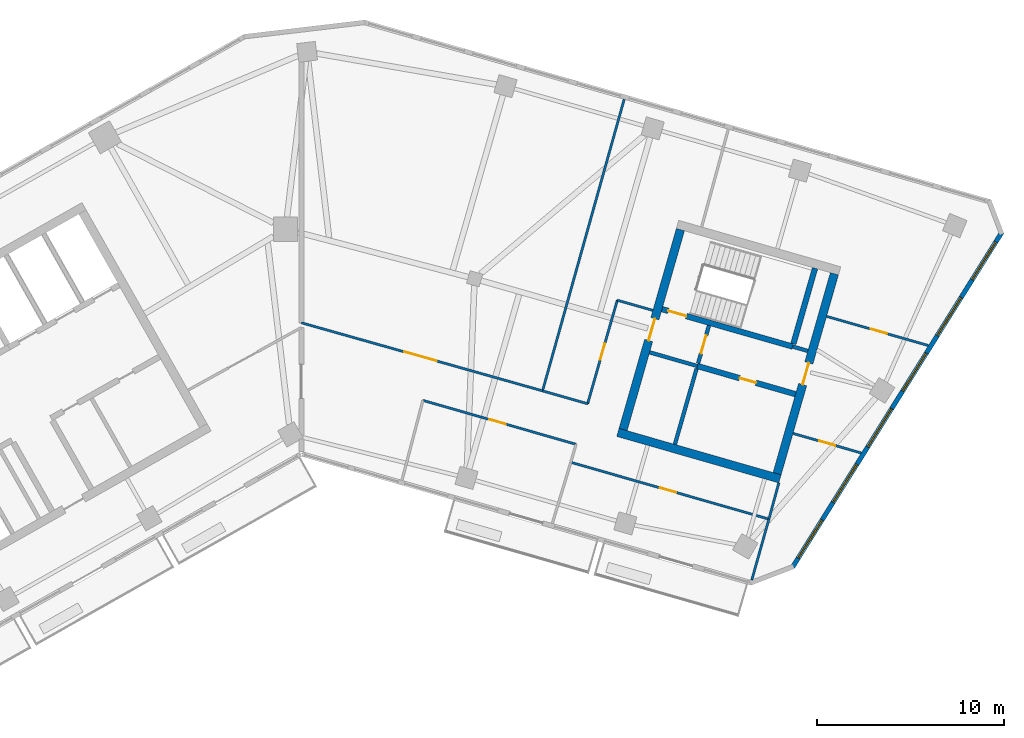
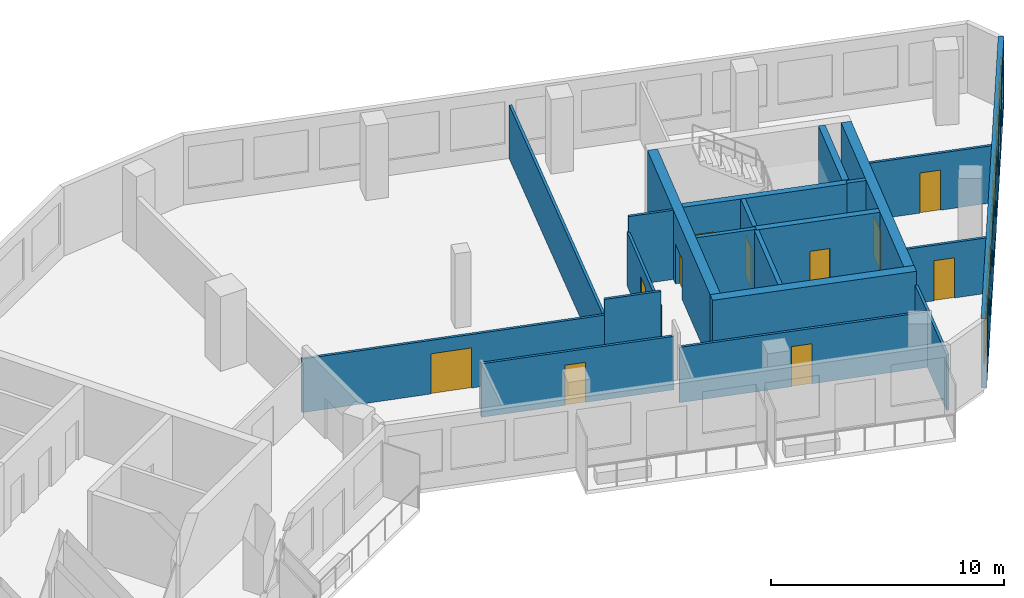
# One storey, part 7 of 11: 22 walls, 11 doors, 6 windows, 17 openings.
"""IFC4 building model written with IfcOpenShell, lengths in metres."""

import ifcopenshell
import ifcopenshell.guid

model = None  # the IFC model being written
_history = None  # IfcOwnerHistory: only IFC2X3 demands one
_inside = {}  # id of a spatial element -> (the spatial element, [elements in it])
_under = {}  # id of a project, library or spatial element -> (it, [spatial elements below it])
_declared = {}  # id of a project -> (the project, [libraries it declares])
_typed = {}  # id of a type object -> (the type object, [elements of that type])
_made_of = {}  # id of a material, layer set ... -> (it, [elements and type objects made of it])


def new_model(schema):
    """Start an empty IFC model of exactly this schema.

    Asked for "IFC4X3", IfcOpenShell would pick the latest addendum, in which some entities
    have other attributes; the version numbers below select the first issue.
    IFC2X3 requires an IfcOwnerHistory on every rooted entity: one is made here for all.
    """
    global model, _history
    if schema == "IFC4X3":
        model = ifcopenshell.file(schema_version=(4, 3, 0, 0))
    else:
        model = ifcopenshell.file(schema=schema)
    _inside.clear()
    _under.clear()
    _declared.clear()
    _typed.clear()
    _made_of.clear()
    _history = None
    if model.schema == "IFC2X3":
        org = make("IfcOrganization", Name="unknown")
        user = make(
            "IfcPersonAndOrganization",
            ThePerson=make("IfcPerson", FamilyName="unknown"),
            TheOrganization=org,
        )
        app = make(
            "IfcApplication",
            ApplicationDeveloper=org,
            Version="unknown",
            ApplicationFullName="unknown",
            ApplicationIdentifier="unknown",
        )
        _history = make(
            "IfcOwnerHistory",
            OwningUser=user,
            OwningApplication=app,
            ChangeAction="ADDED",
            CreationDate=0,
        )
    return model


def make(cls, **values):
    """One entity of the class cls with the attributes given. An attribute that is None is left unset."""
    return model.create_entity(
        cls, **{name: value for name, value in values.items() if value is not None}
    )


def rooted(cls, **values):
    """An entity with a GlobalId (a new one), such as an element, a storey or a relation."""
    return make(cls, GlobalId=ifcopenshell.guid.new(), OwnerHistory=_history, **values)


def si_unit(unit_type, name, prefix=None):
    """IfcSIUnit, for example si_unit("LENGTHUNIT", "METRE", prefix="MILLI")."""
    return make("IfcSIUnit", UnitType=unit_type, Prefix=prefix, Name=name)


def assignment(units):
    """IfcUnitAssignment: the units of a project."""
    return None if units is None else make("IfcUnitAssignment", Units=units)


def point(xyz):
    """IfcCartesianPoint."""
    return None if xyz is None else make("IfcCartesianPoint", Coordinates=xyz)


def direction(xyz):
    """IfcDirection."""
    return None if xyz is None else make("IfcDirection", DirectionRatios=xyz)


def frame(location, z_axis=None, x_axis=None):
    """IfcAxis2Placement3D, a coordinate frame: its origin and axes. An axis left out is left unset."""
    return make(
        "IfcAxis2Placement3D",
        Location=point(location),
        Axis=direction(z_axis),
        RefDirection=direction(x_axis),
    )


def frame_2d(location, x_axis=None):
    """IfcAxis2Placement2D, a coordinate frame in the plane: its origin and x axis."""
    return make(
        "IfcAxis2Placement2D", Location=point(location), RefDirection=direction(x_axis)
    )


def origin():
    """The frame at (0, 0, 0) with its axes left unset."""
    return frame((0.0, 0.0, 0.0))


def place(relative_to, where):
    """IfcLocalPlacement: puts the frame where relative to a parent placement (None: the world)."""
    return make(
        "IfcLocalPlacement", PlacementRelTo=relative_to, RelativePlacement=where
    )


def context(
    kind, dimensions, precision=None, world=None, true_north=None, identifier=None
):
    """IfcGeometricRepresentationContext, for example the 3D "Model" context."""
    return make(
        "IfcGeometricRepresentationContext",
        ContextIdentifier=identifier,
        ContextType=kind,
        CoordinateSpaceDimension=dimensions,
        Precision=precision,
        WorldCoordinateSystem=world,
        TrueNorth=true_north,
    )


def subcontext(parent, identifier, kind, view, scale=None):
    """IfcGeometricRepresentationSubContext, for example "Body" below "Model"."""
    return make(
        "IfcGeometricRepresentationSubContext",
        ContextIdentifier=identifier,
        ContextType=kind,
        ParentContext=parent,
        TargetScale=scale,
        TargetView=view,
    )


def project(units=None, contexts=None):
    """IfcProject with its units and contexts."""
    return rooted(
        "IfcProject",
        Name="project",
        RepresentationContexts=contexts,
        UnitsInContext=assignment(units),
    )


def spatial(cls, under=None, at=None, **own):
    """A site, building, storey or space (cls), placed at a placement, below another one or the project."""
    s = rooted(cls, ObjectPlacement=at, **own)
    if under is not None:
        _under.setdefault(under.id(), (under, []))[1].append(s)
    return s


def profile(cls, at=None, kind="AREA", **sizes):
    """A parametric profile (cls). Its sizes go by their IFC names, for example OverallWidth=200.0."""
    return make(cls, ProfileType=kind, Position=at, **sizes)


def rectangle(**sizes):
    """IfcRectangleProfileDef."""
    return profile("IfcRectangleProfileDef", **sizes)


def extrude(swept, where, along, depth):
    """IfcExtrudedAreaSolid: the profile swept, set in the frame where, extruded along a direction by depth."""
    return make(
        "IfcExtrudedAreaSolid",
        SweptArea=swept,
        Position=where,
        ExtrudedDirection=direction(along),
        Depth=depth,
    )


def shape(context_of_items, identifier, shape_type, items):
    """IfcShapeRepresentation: the items that make up one representation, for example the "Body"."""
    return make(
        "IfcShapeRepresentation",
        ContextOfItems=context_of_items,
        RepresentationIdentifier=identifier,
        RepresentationType=shape_type,
        Items=items,
    )


def material(Name=None, Category=None):
    """IfcMaterial."""
    return make("IfcMaterial", Name=Name, Category=Category)


def layer(
    of_material, thickness, ventilated=None, Name=None, Category=None, Priority=None
):
    """IfcMaterialLayer: one layer of a wall or slab, of a material (None: an air gap)."""
    return make(
        "IfcMaterialLayer",
        Material=of_material,
        LayerThickness=thickness,
        IsVentilated=ventilated,
        Name=Name,
        Category=Category,
        Priority=Priority,
    )


def layer_set(layers, Name=None):
    """IfcMaterialLayerSet."""
    return make("IfcMaterialLayerSet", MaterialLayers=layers, LayerSetName=Name)


def made_of(thing, what):
    """Note that an element or type object is made of a material, layer set ...; save() writes the relation."""
    if what is not None:
        _made_of.setdefault(what.id(), (what, []))[1].append(thing)
    return thing


def type_object(cls, material=None, **own):
    """A type object (cls), such as IfcWallType, which elements share."""
    return made_of(rooted(cls, **own), material)


def element(
    cls,
    number,
    at=None,
    inside=None,
    cuts=None,
    type_object=None,
    material=None,
    context=None,
    identifier="Body",
    shape_type=None,
    held_by="IfcProductDefinitionShape",
    body=None,
    shapes=None,
    **own,
):
    """One element of the class cls, such as IfcWall. Its Tag is "e" and its number.

    at: its placement. inside: the storey or other place that contains it. cuts: it is an
    opening in that element (IfcRelVoidsElement). A single representation is given by context,
    identifier, shape_type and body (its items); several are given by shapes. held_by: the class
    of the entity that holds the representations. save() writes the other relations.
    """
    e = rooted(cls, Tag="e%d" % number, ObjectPlacement=at, **own)
    if body is not None:
        shapes = [shape(context, identifier, shape_type, body)]
    if shapes is not None:
        e.Representation = make(held_by, Representations=shapes)
    if inside is not None:
        _inside.setdefault(inside.id(), (inside, []))[1].append(e)
    if cuts is not None:
        rooted(
            "IfcRelVoidsElement", RelatingBuildingElement=cuts, RelatedOpeningElement=e
        )
    if type_object is not None:
        _typed.setdefault(type_object.id(), (type_object, []))[1].append(e)
    return made_of(e, material)


def fill(opening, filler):
    """IfcRelFillsElement: the door or window that sits in an opening."""
    return rooted(
        "IfcRelFillsElement",
        RelatingOpeningElement=opening,
        RelatedBuildingElement=filler,
    )


def aggregate(whole, parts):
    """IfcRelAggregates: a whole, such as a stair, and the parts it consists of."""
    return rooted("IfcRelAggregates", RelatingObject=whole, RelatedObjects=parts)


def save(model, path):
    """Write the relations noted so far, then the file.

    IfcRelAggregates (storeys below a building ...), IfcRelContainedInSpatialStructure (elements
    in a storey), IfcRelDefinesByType, IfcRelAssociatesMaterial and IfcRelDeclares: one each for
    every whole, place, type object, material and project.
    """
    for whole, parts in _under.values():
        aggregate(whole, parts)
    for where, things in _inside.values():
        rooted(
            "IfcRelContainedInSpatialStructure",
            RelatedElements=things,
            RelatingStructure=where,
        )
    for kind, things in _typed.values():
        rooted("IfcRelDefinesByType", RelatedObjects=things, RelatingType=kind)
    for what, things in _made_of.values():
        rooted("IfcRelAssociatesMaterial", RelatedObjects=things, RelatingMaterial=what)
    for by, libraries in _declared.values():
        rooted("IfcRelDeclares", RelatingContext=by, RelatedDefinitions=libraries)
    model.write(path)


model = new_model("IFC4")

# Units and contexts
model_context = context("Model", 3, precision=1e-05, world=origin(), true_north=direction((0.0, 1.0)))
body_context = subcontext(model_context, "Body", "Model", "MODEL_VIEW")
ifc_project = project(units=[si_unit("LENGTHUNIT", "METRE"), si_unit("AREAUNIT", "SQUARE_METRE"), si_unit("VOLUMEUNIT", "CUBIC_METRE"), si_unit("PLANEANGLEUNIT", "RADIAN"), si_unit("MASSUNIT", "GRAM", prefix="KILO")], contexts=[model_context])

# Site, building, storey
site_placement = place(None, origin())
site = spatial("IfcSite", under=ifc_project, at=site_placement, CompositionType="ELEMENT")
building_placement = place(site_placement, origin())
building = spatial("IfcBuilding", under=site, at=building_placement, Name="Binnacle Exchange Tower", CompositionType="ELEMENT")
storey_placement = place(building_placement, frame((0.0, 0.0, 219.199951171875)))
storey = spatial("IfcBuildingStorey", under=building, at=storey_placement, Name="L48", CompositionType="ELEMENT", Elevation=219.199951171875)

# Wall, opening, door
ifc_material_1 = material(Name="Concrete C70/85", Category="concrete")
ifc_layer_1 = layer(ifc_material_1, 0.300048828125)
ifc_layer_set_1 = layer_set([ifc_layer_1], Name="Core wall - front 300")
wall_type_1 = type_object("IfcWallType", Name="Core wall - front 300", PredefinedType="SOLIDWALL", material=ifc_layer_set_1)
wall_1_placement = place(storey_placement, frame((21.130859375, 52.6923828125, 0.0), z_axis=(0.0, 0.0, 1.0), x_axis=(0.961261488075, -0.275638080722, 0.0)))
wall_1 = element("IfcWall", 1, at=wall_1_placement, inside=storey, type_object=wall_type_1, Name="Core wall CRWD3", PredefinedType="SOLIDWALL", context=body_context, shape_type="SweptSolid", body=[
    extrude(rectangle(XDim=5.449951171875, YDim=0.300048828125, at=frame_2d((2.72509765625, 0.0))), origin(), (0.0, 0.0, 1.0), 3.6201171875),
])
opening_1_placement = place(wall_1_placement, frame((2.35009765625, 0.0, 0.0)))
opening_1 = element("IfcOpeningElement", 2, at=opening_1_placement, cuts=wall_1, Name="Opening DD10", PredefinedType="OPENING", context=body_context, shape_type="SweptSolid", body=[
    extrude(rectangle(XDim=0.89990234375, YDim=2.10009765625, at=frame_2d((0.449951171875, 1.050048828125))), frame((0.0, 0.159912109375, 0.0), z_axis=(0.0, -1.0, 0.0), x_axis=(1.0, 0.0, 0.0)), (0.0, 0.0, 1.0), 0.320068359375),
])
ifc_material_2 = material(Name="Steel door leaf", Category="steel")
door_type_1 = type_object("IfcDoorType", Name="Fire door 900", OperationType="NOTDEFINED", PredefinedType="DOOR", material=ifc_material_2)
door_1_placement = place(opening_1_placement, frame((0.89990234375, 0.0, 0.0), z_axis=(0.0, 0.0, 1.0), x_axis=(-1.0, 0.0, 0.0)))
door_1 = element("IfcDoor", 3, at=door_1_placement, inside=storey, type_object=door_type_1, Name="Core room door PANTRY", OperationType="SINGLE_SWING_LEFT", OverallHeight=2.10009765625, OverallWidth=0.89990234375, PredefinedType="DOOR", context=body_context, shape_type="SweptSolid", body=[
    extrude(rectangle(XDim=0.89990234375, YDim=2.10009765625, at=frame_2d((0.449951171875, 1.050048828125))), frame((0.0, 0.02490234375, 0.0), z_axis=(0.0, -1.0, 0.0), x_axis=(1.0, 0.0, 0.0)), (0.0, 0.0, 1.0), 0.050048828125),
])
fill(opening_1, door_1)

# Wall
ifc_layer_2 = layer(ifc_material_1, 0.449951171875)
ifc_layer_set_2 = layer_set([ifc_layer_2], Name="Core wall - outer 450")
wall_type_2 = type_object("IfcWallType", Name="Core wall - outer 450", PredefinedType="SOLIDWALL", material=ifc_layer_set_2)
wall_2_placement = place(storey_placement, frame((16.889892578125, 49.149169921875, 0.0), z_axis=(0.0, 0.0, 1.0), x_axis=(0.96126248289, -0.275634611374, 0.0)))
element("IfcWall", 4, at=wall_2_placement, inside=storey, type_object=wall_type_2, Name="Core wall CRWD1", PredefinedType="SOLIDWALL", context=body_context, shape_type="SweptSolid", body=[
    extrude(rectangle(XDim=9.0, YDim=0.449951171875, at=frame_2d((4.5, 0.0))), origin(), (0.0, 0.0, 1.0), 3.6201171875),
])

# Wall, opening, door
wall_3_placement = place(storey_placement, frame((17.168212890625, 49.303466796875, 0.0), z_axis=(0.0, 0.0, 1.0), x_axis=(0.275638974822, 0.961261231695, 0.0)))
wall_3 = element("IfcWall", 5, at=wall_3_placement, inside=storey, type_object=wall_type_2, Name="Core wall CRWD7", PredefinedType="SOLIDWALL", context=body_context, shape_type="SweptSolid", body=[
    extrude(rectangle(XDim=11.099853515625, YDim=0.449951171875, at=frame_2d((5.5498046875, 0.0))), origin(), (0.0, 0.0, 1.0), 3.6201171875),
])
opening_2_placement = place(wall_3_placement, frame((4.9501953125, 0.0, 0.0)))
opening_2 = element("IfcOpeningElement", 6, at=opening_2_placement, cuts=wall_3, Name="Opening DD5", PredefinedType="OPENING", context=body_context, shape_type="SweptSolid", body=[
    extrude(rectangle(XDim=1.199951171875, YDim=2.10009765625, at=frame_2d((0.60009765625, 1.050048828125))), frame((0.0, 0.23486328125, 0.0), z_axis=(0.0, -1.0, 0.0), x_axis=(1.0, 0.0, 0.0)), (0.0, 0.0, 1.0), 0.469970703125),
])
door_type_2 = type_object("IfcDoorType", Name="Fire door 1200", OperationType="NOTDEFINED", PredefinedType="DOOR", material=ifc_material_2)
door_2_placement = place(opening_2_placement, origin())
door_2 = element("IfcDoor", 7, at=door_2_placement, inside=storey, type_object=door_type_2, Name="Vestibule exit door VEST-W", OperationType="SINGLE_SWING_RIGHT", OverallHeight=2.10009765625, OverallWidth=1.199951171875, PredefinedType="DOOR", context=body_context, shape_type="SweptSolid", body=[
    extrude(rectangle(XDim=1.199951171875, YDim=2.10009765625, at=frame_2d((0.60009765625, 1.050048828125))), frame((0.0, 0.02490234375, 0.0), z_axis=(0.0, -1.0, 0.0), x_axis=(1.0, 0.0, 0.0)), (0.0, 0.0, 1.0), 0.050048828125),
])
fill(opening_2, door_2)

wall_4_placement = place(storey_placement, frame((25.386962890625, 46.94677734375, 0.0), z_axis=(0.0, 0.0, 1.0), x_axis=(0.275638974822, 0.961261231695, 0.0)))
wall_4 = element("IfcWall", 8, at=wall_4_placement, inside=storey, type_object=wall_type_2, Name="Core wall CRWD12", PredefinedType="SOLIDWALL", context=body_context, shape_type="SweptSolid", body=[
    extrude(rectangle(XDim=11.099853515625, YDim=0.449951171875, at=frame_2d((5.5498046875, 0.0))), origin(), (0.0, 0.0, 1.0), 3.6201171875),
])
opening_3_placement = place(wall_4_placement, frame((4.949951171875, 0.0, 0.0)))
opening_3 = element("IfcOpeningElement", 9, at=opening_3_placement, cuts=wall_4, Name="Opening DD6", PredefinedType="OPENING", context=body_context, shape_type="SweptSolid", body=[
    extrude(rectangle(XDim=1.199951171875, YDim=2.10009765625, at=frame_2d((0.60009765625, 1.050048828125))), frame((0.0, 0.23486328125, 0.0), z_axis=(0.0, -1.0, 0.0), x_axis=(1.0, 0.0, 0.0)), (0.0, 0.0, 1.0), 0.469970703125),
])
door_3_placement = place(opening_3_placement, frame((1.199951171875, 0.0, 0.0), z_axis=(0.0, 0.0, 1.0), x_axis=(-1.0, 0.0, 0.0)))
door_3 = element("IfcDoor", 10, at=door_3_placement, inside=storey, type_object=door_type_2, Name="Core passage exit door", OperationType="SINGLE_SWING_RIGHT", OverallHeight=2.10009765625, OverallWidth=1.199951171875, PredefinedType="DOOR", context=body_context, shape_type="SweptSolid", body=[
    extrude(rectangle(XDim=1.199951171875, YDim=2.10009765625, at=frame_2d((0.60009765625, 1.050048828125))), frame((0.0, 0.02490234375, 0.0), z_axis=(0.0, -1.0, 0.0), x_axis=(1.0, 0.0, 0.0)), (0.0, 0.0, 1.0), 0.050048828125),
])
fill(opening_3, door_3)

ifc_layer_3 = layer(ifc_material_1, 0.300048828125)
ifc_layer_set_3 = layer_set([ifc_layer_3], Name="Core wall - stair 300")
wall_type_3 = type_object("IfcWallType", Name="Core wall - stair 300", PredefinedType="SOLIDWALL", material=ifc_layer_set_3)
wall_5_placement = place(storey_placement, frame((19.2451171875, 55.72998046875, 0.0), z_axis=(0.0, 0.0, 1.0), x_axis=(0.961263007877, -0.275632780503, 0.0)))
wall_5 = element("IfcWall", 11, at=wall_5_placement, inside=storey, type_object=wall_type_3, Name="Core wall CRWD4", PredefinedType="SOLIDWALL", context=body_context, shape_type="SweptSolid", body=[
    extrude(rectangle(XDim=7.249755859375, YDim=0.300048828125, at=frame_2d((3.625, 0.0))), origin(), (0.0, 0.0, 1.0), 3.6201171875),
])
opening_4_placement = place(wall_5_placement, frame((0.35009765625, 0.0, 0.0)))
opening_4 = element("IfcOpeningElement", 12, at=opening_4_placement, cuts=wall_5, Name="Opening DD1", PredefinedType="OPENING", context=body_context, shape_type="SweptSolid", body=[
    extrude(rectangle(XDim=1.0, YDim=2.10009765625, at=frame_2d((0.5, 1.050048828125))), frame((0.0, 0.159912109375, 0.0), z_axis=(0.0, -1.0, 0.0), x_axis=(1.0, 0.0, 0.0)), (0.0, 0.0, 1.0), 0.320068359375),
])
door_type_3 = type_object("IfcDoorType", Name="Fire door 1000", OperationType="NOTDEFINED", PredefinedType="DOOR", material=ifc_material_2)
door_4_placement = place(opening_4_placement, origin())
door_4 = element("IfcDoor", 13, at=door_4_placement, inside=storey, type_object=door_type_3, Name="Stair door ST-D1", OperationType="SINGLE_SWING_LEFT", OverallHeight=2.10009765625, OverallWidth=1.0, PredefinedType="DOOR", context=body_context, shape_type="SweptSolid", body=[
    extrude(rectangle(XDim=1.0, YDim=2.10009765625, at=frame_2d((0.5, 1.050048828125))), frame((0.0, 0.02490234375, 0.0), z_axis=(0.0, -1.0, 0.0), x_axis=(1.0, 0.0, 0.0)), (0.0, 0.0, 1.0), 0.050048828125),
])
fill(opening_4, door_4)

# Wall
wall_6_placement = place(storey_placement, frame((26.255615234375, 53.875732421875, 0.0), z_axis=(0.0, 0.0, 1.0), x_axis=(0.275588560745, 0.96127568636, 0.0)))
element("IfcWall", 14, at=wall_6_placement, inside=storey, type_object=wall_type_3, Name="Core wall CRWD11", PredefinedType="SOLIDWALL", context=body_context, shape_type="SweptSolid", body=[
    extrude(rectangle(XDim=4.199951171875, YDim=0.300048828125, at=frame_2d((2.10009765625, 0.0))), origin(), (0.0, 0.0, 1.0), 3.6201171875),
])

# Wall, openings, windows
ifc_material_3 = material(Name="Bronze aluminium cladding", Category="aluminium")
ifc_layer_4 = layer(ifc_material_3, 0.25)
ifc_layer_set_4 = layer_set([ifc_layer_4], Name="External wall - window wall 250")
wall_type_4 = type_object("IfcWallType", Name="External wall - window wall 250", PredefinedType="STANDARD", material=ifc_layer_set_4)
wall_7_placement = place(storey_placement, frame((37.392333984375, 59.84033203125, 0.0), z_axis=(0.0, 0.0, 1.0), x_axis=(-0.529919909431, -0.848047692992, 0.0)))
wall_7 = element("IfcWall", 15, at=wall_7_placement, inside=storey, type_object=wall_type_4, Name="External wall EW-G04 L48", PredefinedType="STANDARD", context=body_context, shape_type="SweptSolid", body=[
    extrude(rectangle(XDim=21.104248046875, YDim=0.25, at=frame_2d((10.55224609375, 0.0))), origin(), (0.0, 0.0, 1.0), 3.6201171875),
])
opening_5_placement = place(wall_7_placement, frame((18.1123046875, 0.0, 0.800048828125)))
opening_5 = element("IfcOpeningElement", 16, at=opening_5_placement, cuts=wall_7, Name="Opening WR1", PredefinedType="OPENING", context=body_context, shape_type="SweptSolid", body=[
    extrude(rectangle(XDim=2.39990234375, YDim=2.199951171875, at=frame_2d((1.199951171875, 1.10009765625))), frame((0.0, 0.135009765625, 0.0), z_axis=(0.0, -1.0, 0.0), x_axis=(1.0, 0.0, 0.0)), (0.0, 0.0, 1.0), 0.27001953125),
])
opening_6_placement = place(wall_7_placement, frame((14.6123046875, 0.0, 0.800048828125)))
opening_6 = element("IfcOpeningElement", 17, at=opening_6_placement, cuts=wall_7, Name="Opening WR1", PredefinedType="OPENING", context=body_context, shape_type="SweptSolid", body=[
    extrude(rectangle(XDim=2.39990234375, YDim=2.199951171875, at=frame_2d((1.199951171875, 1.10009765625))), frame((0.0, 0.135009765625, 0.0), z_axis=(0.0, -1.0, 0.0), x_axis=(1.0, 0.0, 0.0)), (0.0, 0.0, 1.0), 0.27001953125),
])
opening_7_placement = place(wall_7_placement, frame((11.1123046875, 0.0, 0.800048828125)))
opening_7 = element("IfcOpeningElement", 18, at=opening_7_placement, cuts=wall_7, Name="Opening WR1", PredefinedType="OPENING", context=body_context, shape_type="SweptSolid", body=[
    extrude(rectangle(XDim=2.39990234375, YDim=2.199951171875, at=frame_2d((1.199951171875, 1.10009765625))), frame((0.0, 0.135009765625, 0.0), z_axis=(0.0, -1.0, 0.0), x_axis=(1.0, 0.0, 0.0)), (0.0, 0.0, 1.0), 0.27001953125),
])
opening_8_placement = place(wall_7_placement, frame((7.6123046875, 0.0, 0.800048828125)))
opening_8 = element("IfcOpeningElement", 19, at=opening_8_placement, cuts=wall_7, Name="Opening WR1", PredefinedType="OPENING", context=body_context, shape_type="SweptSolid", body=[
    extrude(rectangle(XDim=2.39990234375, YDim=2.199951171875, at=frame_2d((1.199951171875, 1.10009765625))), frame((0.0, 0.135009765625, 0.0), z_axis=(0.0, -1.0, 0.0), x_axis=(1.0, 0.0, 0.0)), (0.0, 0.0, 1.0), 0.27001953125),
])
opening_9_placement = place(wall_7_placement, frame((4.1123046875, 0.0, 0.800048828125)))
opening_9 = element("IfcOpeningElement", 20, at=opening_9_placement, cuts=wall_7, Name="Opening WR1", PredefinedType="OPENING", context=body_context, shape_type="SweptSolid", body=[
    extrude(rectangle(XDim=2.39990234375, YDim=2.199951171875, at=frame_2d((1.199951171875, 1.10009765625))), frame((0.0, 0.135009765625, 0.0), z_axis=(0.0, -1.0, 0.0), x_axis=(1.0, 0.0, 0.0)), (0.0, 0.0, 1.0), 0.27001953125),
])
opening_10_placement = place(wall_7_placement, frame((0.6123046875, 0.0, 0.800048828125)))
opening_10 = element("IfcOpeningElement", 21, at=opening_10_placement, cuts=wall_7, Name="Opening WR1", PredefinedType="OPENING", context=body_context, shape_type="SweptSolid", body=[
    extrude(rectangle(XDim=2.39990234375, YDim=2.199951171875, at=frame_2d((1.199951171875, 1.10009765625))), frame((0.0, 0.135009765625, 0.0), z_axis=(0.0, -1.0, 0.0), x_axis=(1.0, 0.0, 0.0)), (0.0, 0.0, 1.0), 0.27001953125),
])
ifc_material_4 = material(Name="Bronze anodised aluminium frame", Category="aluminium")
window_type = type_object("IfcWindowType", Name="WR1 WINDOW 2400x2200", PartitioningType="SINGLE_PANEL", PredefinedType="WINDOW", material=ifc_material_4)
window_1_placement = place(opening_5_placement, origin())
window_1 = element("IfcWindow", 22, at=window_1_placement, inside=storey, type_object=window_type, Name="Window WR1 L48", OverallHeight=2.199951171875, OverallWidth=2.39990234375, PartitioningType="SINGLE_PANEL", PredefinedType="WINDOW", context=body_context, shape_type="SweptSolid", body=[
    extrude(rectangle(XDim=2.39990234375, YDim=2.199951171875, at=frame_2d((1.199951171875, 1.10009765625))), frame((0.0, 0.030029296875, 0.0), z_axis=(0.0, -1.0, 0.0), x_axis=(1.0, 0.0, 0.0)), (0.0, 0.0, 1.0), 0.06005859375),
])
fill(opening_5, window_1)
window_2_placement = place(opening_6_placement, origin())
window_2 = element("IfcWindow", 23, at=window_2_placement, inside=storey, type_object=window_type, Name="Window WR1 L48", OverallHeight=2.199951171875, OverallWidth=2.39990234375, PartitioningType="SINGLE_PANEL", PredefinedType="WINDOW", context=body_context, shape_type="SweptSolid", body=[
    extrude(rectangle(XDim=2.39990234375, YDim=2.199951171875, at=frame_2d((1.199951171875, 1.10009765625))), frame((0.0, 0.030029296875, 0.0), z_axis=(0.0, -1.0, 0.0), x_axis=(1.0, 0.0, 0.0)), (0.0, 0.0, 1.0), 0.06005859375),
])
fill(opening_6, window_2)
window_3_placement = place(opening_7_placement, origin())
window_3 = element("IfcWindow", 24, at=window_3_placement, inside=storey, type_object=window_type, Name="Window WR1 L48", OverallHeight=2.199951171875, OverallWidth=2.39990234375, PartitioningType="SINGLE_PANEL", PredefinedType="WINDOW", context=body_context, shape_type="SweptSolid", body=[
    extrude(rectangle(XDim=2.39990234375, YDim=2.199951171875, at=frame_2d((1.199951171875, 1.10009765625))), frame((0.0, 0.030029296875, 0.0), z_axis=(0.0, -1.0, 0.0), x_axis=(1.0, 0.0, 0.0)), (0.0, 0.0, 1.0), 0.06005859375),
])
fill(opening_7, window_3)
window_4_placement = place(opening_8_placement, origin())
window_4 = element("IfcWindow", 25, at=window_4_placement, inside=storey, type_object=window_type, Name="Window WR1 L48", OverallHeight=2.199951171875, OverallWidth=2.39990234375, PartitioningType="SINGLE_PANEL", PredefinedType="WINDOW", context=body_context, shape_type="SweptSolid", body=[
    extrude(rectangle(XDim=2.39990234375, YDim=2.199951171875, at=frame_2d((1.199951171875, 1.10009765625))), frame((0.0, 0.030029296875, 0.0), z_axis=(0.0, -1.0, 0.0), x_axis=(1.0, 0.0, 0.0)), (0.0, 0.0, 1.0), 0.06005859375),
])
fill(opening_8, window_4)
window_5_placement = place(opening_9_placement, origin())
window_5 = element("IfcWindow", 26, at=window_5_placement, inside=storey, type_object=window_type, Name="Window WR1 L48", OverallHeight=2.199951171875, OverallWidth=2.39990234375, PartitioningType="SINGLE_PANEL", PredefinedType="WINDOW", context=body_context, shape_type="SweptSolid", body=[
    extrude(rectangle(XDim=2.39990234375, YDim=2.199951171875, at=frame_2d((1.199951171875, 1.10009765625))), frame((0.0, 0.030029296875, 0.0), z_axis=(0.0, -1.0, 0.0), x_axis=(1.0, 0.0, 0.0)), (0.0, 0.0, 1.0), 0.06005859375),
])
fill(opening_9, window_5)
window_6_placement = place(opening_10_placement, origin())
window_6 = element("IfcWindow", 27, at=window_6_placement, inside=storey, type_object=window_type, Name="Window WR1 L48", OverallHeight=2.199951171875, OverallWidth=2.39990234375, PartitioningType="SINGLE_PANEL", PredefinedType="WINDOW", context=body_context, shape_type="SweptSolid", body=[
    extrude(rectangle(XDim=2.39990234375, YDim=2.199951171875, at=frame_2d((1.199951171875, 1.10009765625))), frame((0.0, 0.030029296875, 0.0), z_axis=(0.0, -1.0, 0.0), x_axis=(1.0, 0.0, 0.0)), (0.0, 0.0, 1.0), 0.06005859375),
])
fill(opening_10, window_6)

# Wall, opening, door
ifc_material_5 = material(Name="Masonry block wall", Category="masonry")
ifc_layer_5 = layer(ifc_material_5, 0.199951171875)
ifc_layer_set_5 = layer_set([ifc_layer_5], Name="Fire wall - vestibule 200")
wall_type_5 = type_object("IfcWallType", Name="Fire wall - vestibule 200", PredefinedType="PARTITIONING", material=ifc_layer_set_5)
wall_8_placement = place(storey_placement, frame((21.172119140625, 52.836669921875, 0.0), z_axis=(0.0, 0.0, 1.0), x_axis=(0.275657676022, 0.961255868981, 0.0)))
wall_8 = element("IfcWall", 28, at=wall_8_placement, inside=storey, type_object=wall_type_5, Name="Core wall CRWD9", PredefinedType="PARTITIONING", context=body_context, shape_type="SweptSolid", body=[
    extrude(rectangle(XDim=2.099853515625, YDim=0.199951171875, at=frame_2d((1.0498046875, 0.0))), origin(), (0.0, 0.0, 1.0), 3.6201171875),
])
opening_11_placement = place(wall_8_placement, frame((0.550048828125, 0.0, 0.0)))
opening_11 = element("IfcOpeningElement", 29, at=opening_11_placement, cuts=wall_8, Name="Opening DD3", PredefinedType="OPENING", context=body_context, shape_type="SweptSolid", body=[
    extrude(rectangle(XDim=1.0, YDim=2.10009765625, at=frame_2d((0.5, 1.050048828125))), frame((0.0, 0.10986328125, 0.0), z_axis=(0.0, -1.0, 0.0), x_axis=(1.0, 0.0, 0.0)), (0.0, 0.0, 1.0), 0.219970703125),
])
door_5_placement = place(opening_11_placement, origin())
door_5 = element("IfcDoor", 30, at=door_5_placement, inside=storey, type_object=door_type_3, Name="Vestibule door VEST-W", OperationType="SINGLE_SWING_RIGHT", OverallHeight=2.10009765625, OverallWidth=1.0, PredefinedType="DOOR", context=body_context, shape_type="SweptSolid", body=[
    extrude(rectangle(XDim=1.0, YDim=2.10009765625, at=frame_2d((0.5, 1.050048828125))), frame((0.0, 0.02490234375, 0.0), z_axis=(0.0, -1.0, 0.0), x_axis=(1.0, 0.0, 0.0)), (0.0, 0.0, 1.0), 0.050048828125),
])
fill(opening_11, door_5)

ifc_material_6 = material(Name="Gypsum partition")
ifc_layer_6 = layer(ifc_material_6, 0.125)
ifc_layer_set_6 = layer_set([ifc_layer_6], Name="Partition 125")
wall_type_6 = type_object("IfcWallType", Name="Partition 125", PredefinedType="PARTITIONING", material=ifc_layer_set_6)
wall_9_placement = place(storey_placement, frame((0.0, 55.0, 0.0), z_axis=(0.0, 0.0, 1.0), x_axis=(0.962402937884, -0.271625818271, 0.0)))
wall_9 = element("IfcWall", 31, at=wall_9_placement, inside=storey, type_object=wall_type_6, Name="Partition W24", PredefinedType="PARTITIONING", context=body_context, shape_type="SweptSolid", body=[
    extrude(rectangle(XDim=13.37158203125, YDim=0.125, at=frame_2d((6.685791015625, 0.0))), origin(), (0.0, 0.0, 1.0), 2.800048828125),
])
opening_12_placement = place(wall_9_placement, frame((5.699951171875, 0.0, 0.0)))
opening_12 = element("IfcOpeningElement", 32, at=opening_12_placement, cuts=wall_9, Name="Opening DL48-10", PredefinedType="OPENING", context=body_context, shape_type="SweptSolid", body=[
    extrude(rectangle(XDim=1.800048828125, YDim=2.10009765625, at=frame_2d((0.89990234375, 1.050048828125))), frame((0.0, 0.072509765625, 0.0), z_axis=(0.0, -1.0, 0.0), x_axis=(1.0, 0.0, 0.0)), (0.0, 0.0, 1.0), 0.14501953125),
])
ifc_material_7 = material(Name="Timber door leaf", Category="wood")
door_type_4 = type_object("IfcDoorType", Name="Double door 1800", OperationType="NOTDEFINED", PredefinedType="DOOR", material=ifc_material_7)
door_6_placement = place(opening_12_placement, origin())
door_6 = element("IfcDoor", 33, at=door_6_placement, inside=storey, type_object=door_type_4, Name="Door DL48-10", OperationType="DOUBLE_DOOR_SINGLE_SWING", OverallHeight=2.10009765625, OverallWidth=1.800048828125, PredefinedType="DOOR", context=body_context, shape_type="SweptSolid", body=[
    extrude(rectangle(XDim=1.800048828125, YDim=2.10009765625, at=frame_2d((0.89990234375, 1.050048828125))), frame((0.0, 0.02490234375, 0.0), z_axis=(0.0, -1.0, 0.0), x_axis=(1.0, 0.0, 0.0)), (0.0, 0.0, 1.0), 0.050048828125),
])
fill(opening_12, door_6)

wall_10_placement = place(storey_placement, frame((6.48193359375, 50.85888671875, 0.0), z_axis=(0.0, 0.0, 1.0), x_axis=(0.961261196169, -0.275639098713, 0.0)))
wall_10 = element("IfcWall", 34, at=wall_10_placement, inside=storey, type_object=wall_type_6, Name="Partition W26", PredefinedType="PARTITIONING", context=body_context, shape_type="SweptSolid", body=[
    extrude(rectangle(XDim=8.49951171875, YDim=0.125, at=frame_2d((4.249755859375, 0.0))), origin(), (0.0, 0.0, 1.0), 2.800048828125),
])
opening_13_placement = place(wall_10_placement, frame((3.699951171875, 0.0, 0.0)))
opening_13 = element("IfcOpeningElement", 35, at=opening_13_placement, cuts=wall_10, Name="Opening DL48-12", PredefinedType="OPENING", context=body_context, shape_type="SweptSolid", body=[
    extrude(rectangle(XDim=0.89990234375, YDim=2.10009765625, at=frame_2d((0.449951171875, 1.050048828125))), frame((0.0, 0.072509765625, 0.0), z_axis=(0.0, -1.0, 0.0), x_axis=(1.0, 0.0, 0.0)), (0.0, 0.0, 1.0), 0.14501953125),
])
door_type_5 = type_object("IfcDoorType", Name="Door 900", OperationType="NOTDEFINED", PredefinedType="DOOR", material=ifc_material_7)
door_7_placement = place(opening_13_placement, frame((0.89990234375, 0.0, 0.0), z_axis=(0.0, 0.0, 1.0), x_axis=(-1.0, 0.0, 0.0)))
door_7 = element("IfcDoor", 36, at=door_7_placement, inside=storey, type_object=door_type_5, Name="Door DL48-12", OperationType="SINGLE_SWING_RIGHT", OverallHeight=2.10009765625, OverallWidth=0.89990234375, PredefinedType="DOOR", context=body_context, shape_type="SweptSolid", body=[
    extrude(rectangle(XDim=0.89990234375, YDim=2.10009765625, at=frame_2d((0.449951171875, 1.050048828125))), frame((0.0, 0.02490234375, 0.0), z_axis=(0.0, -1.0, 0.0), x_axis=(1.0, 0.0, 0.0)), (0.0, 0.0, 1.0), 0.050048828125),
])
fill(opening_13, door_7)

# Walls
wall_11_placement = place(storey_placement, frame((12.868896484375, 51.367919921875, 0.0), z_axis=(0.0, 0.0, 1.0), x_axis=(0.961302601161, -0.275494662382, 0.0)))
element("IfcWall", 37, at=wall_11_placement, inside=storey, type_object=wall_type_6, Name="Partition W27", PredefinedType="PARTITIONING", context=body_context, shape_type="SweptSolid", body=[
    extrude(rectangle(XDim=2.500732421875, YDim=0.125, at=frame_2d((1.25048828125, 0.0))), origin(), (0.0, 0.0, 1.0), 3.6201171875),
])
wall_12_placement = place(storey_placement, frame((12.868896484375, 51.367919921875, 0.0), z_axis=(0.0, 0.0, 1.0), x_axis=(0.269547555311, 0.962987079574, 0.0)))
element("IfcWall", 38, at=wall_12_placement, inside=storey, type_object=wall_type_6, Name="Partition W28", PredefinedType="PARTITIONING", context=body_context, shape_type="SweptSolid", body=[
    extrude(rectangle(XDim=16.1611328125, YDim=0.125, at=frame_2d((8.08056640625, 0.0))), origin(), (0.0, 0.0, 1.0), 2.7919921875),
])

# Wall, opening, door
wall_13_placement = place(storey_placement, frame((14.376953125, 47.554931640625, 0.0), z_axis=(0.0, 0.0, 1.0), x_axis=(0.961263044958, -0.275632651182, 0.0)))
wall_13 = element("IfcWall", 39, at=wall_13_placement, inside=storey, type_object=wall_type_6, Name="Partition W31", PredefinedType="PARTITIONING", context=body_context, shape_type="SweptSolid", body=[
    extrude(rectangle(XDim=11.0, YDim=0.125, at=frame_2d((5.5, 0.0))), origin(), (0.0, 0.0, 1.0), 2.900146484375),
])
opening_14_placement = place(wall_13_placement, frame((4.949951171875, 0.0, 0.0)))
opening_14 = element("IfcOpeningElement", 40, at=opening_14_placement, cuts=wall_13, Name="Opening DL48-13", PredefinedType="OPENING", context=body_context, shape_type="SweptSolid", body=[
    extrude(rectangle(XDim=0.89990234375, YDim=2.10009765625, at=frame_2d((0.449951171875, 1.050048828125))), frame((0.0, 0.072509765625, 0.0), z_axis=(0.0, -1.0, 0.0), x_axis=(1.0, 0.0, 0.0)), (0.0, 0.0, 1.0), 0.14501953125),
])
door_8_placement = place(opening_14_placement, frame((0.89990234375, 0.0, 0.0), z_axis=(0.0, 0.0, 1.0), x_axis=(-1.0, 0.0, 0.0)))
door_8 = element("IfcDoor", 41, at=door_8_placement, inside=storey, type_object=door_type_5, Name="Door DL48-13", OperationType="SINGLE_SWING_RIGHT", OverallHeight=2.10009765625, OverallWidth=0.89990234375, PredefinedType="DOOR", context=body_context, shape_type="SweptSolid", body=[
    extrude(rectangle(XDim=0.89990234375, YDim=2.10009765625, at=frame_2d((0.449951171875, 1.050048828125))), frame((0.0, 0.02490234375, 0.0), z_axis=(0.0, -1.0, 0.0), x_axis=(1.0, 0.0, 0.0)), (0.0, 0.0, 1.0), 0.050048828125),
])
fill(opening_14, door_8)

wall_14_placement = place(storey_placement, frame((15.27294921875, 50.678955078125, 0.0), z_axis=(0.0, 0.0, 1.0), x_axis=(0.275494973205, 0.961302512084, 0.0)))
wall_14 = element("IfcWall", 42, at=wall_14_placement, inside=storey, type_object=wall_type_6, Name="Partition W32", PredefinedType="PARTITIONING", context=body_context, shape_type="SweptSolid", body=[
    extrude(rectangle(XDim=5.74951171875, YDim=0.125, at=frame_2d((2.874755859375, 0.0))), origin(), (0.0, 0.0, 1.0), 2.800048828125),
])
opening_15_placement = place(wall_14_placement, frame((2.449951171875, 0.0, 0.0)))
opening_15 = element("IfcOpeningElement", 43, at=opening_15_placement, cuts=wall_14, Name="Opening DL48-11", PredefinedType="OPENING", context=body_context, shape_type="SweptSolid", body=[
    extrude(rectangle(XDim=0.89990234375, YDim=2.10009765625, at=frame_2d((0.449951171875, 1.050048828125))), frame((0.0, 0.072509765625, 0.0), z_axis=(0.0, -1.0, 0.0), x_axis=(1.0, 0.0, 0.0)), (0.0, 0.0, 1.0), 0.14501953125),
])
door_9_placement = place(opening_15_placement, origin())
door_9 = element("IfcDoor", 44, at=door_9_placement, inside=storey, type_object=door_type_5, Name="Door DL48-11", OperationType="SINGLE_SWING_RIGHT", OverallHeight=2.10009765625, OverallWidth=0.89990234375, PredefinedType="DOOR", context=body_context, shape_type="SweptSolid", body=[
    extrude(rectangle(XDim=0.89990234375, YDim=2.10009765625, at=frame_2d((0.449951171875, 1.050048828125))), frame((0.0, 0.02490234375, 0.0), z_axis=(0.0, -1.0, 0.0), x_axis=(1.0, 0.0, 0.0)), (0.0, 0.0, 1.0), 0.050048828125),
])
fill(opening_15, door_9)

# Walls
wall_15_placement = place(storey_placement, frame((16.85693359375, 56.2060546875, 0.0), z_axis=(0.0, 0.0, 1.0), x_axis=(0.961383985066, -0.275210525341, 0.0)))
element("IfcWall", 45, at=wall_15_placement, inside=storey, type_object=wall_type_6, Name="Partition W33", PredefinedType="PARTITIONING", context=body_context, shape_type="SweptSolid", body=[
    extrude(rectangle(XDim=1.9765625, YDim=0.125, at=frame_2d((0.98828125, 0.0))), origin(), (0.0, 0.0, 1.0), 3.6201171875),
])
wall_16_placement = place(storey_placement, frame((24.035888671875, 41.27001953125, 0.0), z_axis=(0.0, 0.0, 1.0), x_axis=(0.270787421954, 0.962639170256, 0.0)))
element("IfcWall", 46, at=wall_16_placement, inside=storey, type_object=wall_type_6, Name="Partition W35", PredefinedType="PARTITIONING", context=body_context, shape_type="SweptSolid", body=[
    extrude(rectangle(XDim=3.379150390625, YDim=0.125, at=frame_2d((1.689453125, 0.0))), origin(), (0.0, 0.0, 1.0), 2.900146484375),
])
wall_17_placement = place(storey_placement, frame((24.950927734375, 44.52294921875, 0.0), z_axis=(0.0, 0.0, 1.0), x_axis=(0.264046927145, 0.964509834198, 0.0)))
element("IfcWall", 47, at=wall_17_placement, inside=storey, type_object=wall_type_6, Name="Partition W36", PredefinedType="PARTITIONING", context=body_context, shape_type="SweptSolid", body=[
    extrude(rectangle(XDim=2.0, YDim=0.125, at=frame_2d((1.0, 0.0))), origin(), (0.0, 0.0, 1.0), 2.900146484375),
])

# Wall, opening, door
wall_18_placement = place(storey_placement, frame((26.237060546875, 49.095947265625, 0.0), z_axis=(0.0, 0.0, 1.0), x_axis=(0.961285271066, -0.275555126304, 0.0)))
wall_18 = element("IfcWall", 48, at=wall_18_placement, inside=storey, type_object=wall_type_6, Name="Partition W37", PredefinedType="PARTITIONING", context=body_context, shape_type="SweptSolid", body=[
    extrude(rectangle(XDim=3.78857421875, YDim=0.125, at=frame_2d((1.894287109375, 0.0))), origin(), (0.0, 0.0, 1.0), 2.900146484375),
])
opening_16_placement = place(wall_18_placement, frame((1.449951171875, 0.0, 0.0)))
opening_16 = element("IfcOpeningElement", 49, at=opening_16_placement, cuts=wall_18, Name="Opening DL48-15", PredefinedType="OPENING", context=body_context, shape_type="SweptSolid", body=[
    extrude(rectangle(XDim=0.89990234375, YDim=2.10009765625, at=frame_2d((0.449951171875, 1.050048828125))), frame((0.0, 0.072509765625, 0.0), z_axis=(0.0, -1.0, 0.0), x_axis=(1.0, 0.0, 0.0)), (0.0, 0.0, 1.0), 0.14501953125),
])
door_10_placement = place(opening_16_placement, frame((0.89990234375, 0.0, 0.0), z_axis=(0.0, 0.0, 1.0), x_axis=(-1.0, 0.0, 0.0)))
door_10 = element("IfcDoor", 50, at=door_10_placement, inside=storey, type_object=door_type_5, Name="Door DL48-15", OperationType="SINGLE_SWING_LEFT", OverallHeight=2.10009765625, OverallWidth=0.89990234375, PredefinedType="DOOR", context=body_context, shape_type="SweptSolid", body=[
    extrude(rectangle(XDim=0.89990234375, YDim=2.10009765625, at=frame_2d((0.449951171875, 1.050048828125))), frame((0.0, 0.02490234375, 0.0), z_axis=(0.0, -1.0, 0.0), x_axis=(1.0, 0.0, 0.0)), (0.0, 0.0, 1.0), 0.050048828125),
])
fill(opening_16, door_10)

wall_19_placement = place(storey_placement, frame((28.029052734375, 55.343994140625, 0.0), z_axis=(0.0, 0.0, 1.0), x_axis=(0.961249621014, -0.275679462603, 0.0)))
wall_19 = element("IfcWall", 51, at=wall_19_placement, inside=storey, type_object=wall_type_6, Name="Partition W38", PredefinedType="PARTITIONING", context=body_context, shape_type="SweptSolid", body=[
    extrude(rectangle(XDim=5.65185546875, YDim=0.125, at=frame_2d((2.825927734375, 0.0))), origin(), (0.0, 0.0, 1.0), 2.988037109375),
])
opening_17_placement = place(wall_19_placement, frame((2.449951171875, 0.0, 0.0)))
opening_17 = element("IfcOpeningElement", 52, at=opening_17_placement, cuts=wall_19, Name="Opening DL48-14", PredefinedType="OPENING", context=body_context, shape_type="SweptSolid", body=[
    extrude(rectangle(XDim=0.89990234375, YDim=2.10009765625, at=frame_2d((0.449951171875, 1.050048828125))), frame((0.0, 0.072509765625, 0.0), z_axis=(0.0, -1.0, 0.0), x_axis=(1.0, 0.0, 0.0)), (0.0, 0.0, 1.0), 0.14501953125),
])
door_11_placement = place(opening_17_placement, origin())
door_11 = element("IfcDoor", 53, at=door_11_placement, inside=storey, type_object=door_type_5, Name="Door DL48-14", OperationType="SINGLE_SWING_RIGHT", OverallHeight=2.10009765625, OverallWidth=0.89990234375, PredefinedType="DOOR", context=body_context, shape_type="SweptSolid", body=[
    extrude(rectangle(XDim=0.89990234375, YDim=2.10009765625, at=frame_2d((0.449951171875, 1.050048828125))), frame((0.0, 0.02490234375, 0.0), z_axis=(0.0, -1.0, 0.0), x_axis=(1.0, 0.0, 0.0)), (0.0, 0.0, 1.0), 0.050048828125),
])
fill(opening_17, door_11)

# Walls
ifc_layer_7 = layer(ifc_material_5, 0.199951171875)
ifc_layer_set_7 = layer_set([ifc_layer_7], Name="Riser wall 200")
wall_type_7 = type_object("IfcWallType", Name="Riser wall 200", PredefinedType="SOLIDWALL", material=ifc_layer_set_7)
wall_20_placement = place(storey_placement, frame((18.58349609375, 53.4228515625, 0.0), z_axis=(0.0, 0.0, 1.0), x_axis=(0.961259287968, -0.275645753268, 0.0)))
element("IfcWall", 54, at=wall_20_placement, inside=storey, type_object=wall_type_7, Name="Core wall CRWD2", PredefinedType="SOLIDWALL", context=body_context, shape_type="SweptSolid", body=[
    extrude(rectangle(XDim=2.650146484375, YDim=0.199951171875, at=frame_2d((1.3251953125, 0.0))), origin(), (0.0, 0.0, 1.0), 3.6201171875),
])
wall_21_placement = place(storey_placement, frame((26.214111328125, 53.731689453125, 0.0), z_axis=(0.0, 0.0, 1.0), x_axis=(0.961241665642, -0.275707200184, 0.0)))
element("IfcWall", 55, at=wall_21_placement, inside=storey, type_object=wall_type_7, Name="Core wall CRWD5", PredefinedType="SOLIDWALL", context=body_context, shape_type="SweptSolid", body=[
    extrude(rectangle(XDim=0.85009765625, YDim=0.199951171875, at=frame_2d((0.425048828125, 0.0))), origin(), (0.0, 0.0, 1.0), 3.6201171875),
])
wall_22_placement = place(storey_placement, frame((19.931884765625, 48.510986328125, 0.0), z_axis=(0.0, 0.0, 1.0), x_axis=(0.275642273411, 0.961260285827, 0.0)))
element("IfcWall", 56, at=wall_22_placement, inside=storey, type_object=wall_type_7, Name="Core wall CRWD8", PredefinedType="SOLIDWALL", context=body_context, shape_type="SweptSolid", body=[
    extrude(rectangle(XDim=4.199951171875, YDim=0.199951171875, at=frame_2d((2.10009765625, 0.0))), origin(), (0.0, 0.0, 1.0), 3.6201171875),
])

save(model, "model.ifc")
